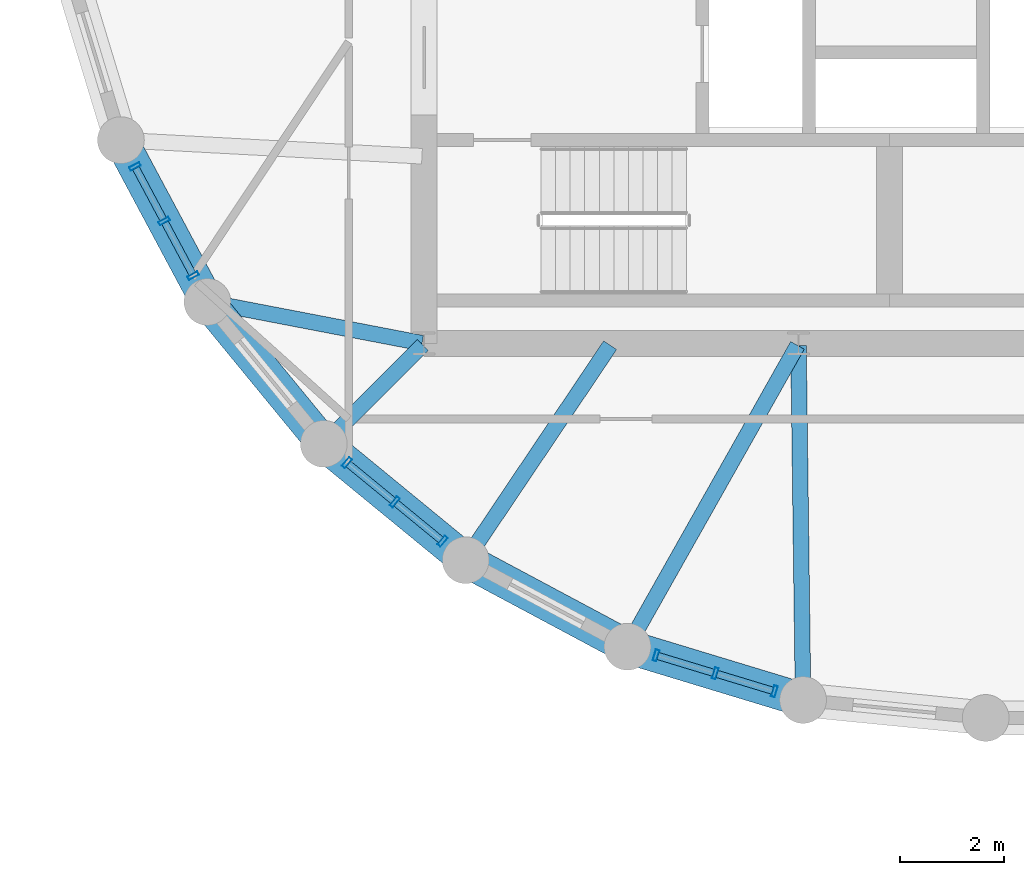
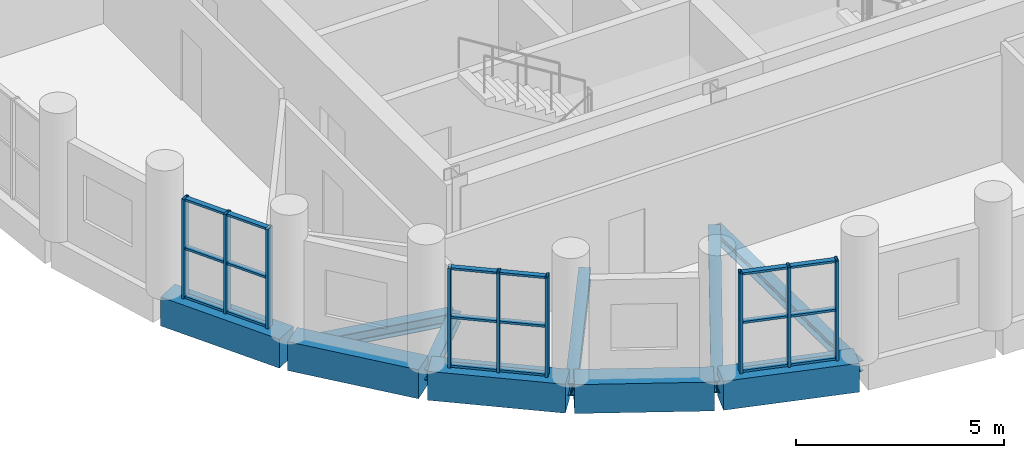
# One storey, part 2 of 11: 27 members, 10 beams, 3 elements without a shape of their own.
"""IFC4 building model written with IfcOpenShell, lengths in metres."""

from ifc_helpers import new_model, si_unit, direction, frame, origin, origin_2d, place, context, subcontext, project, spatial, rectangle, hollow_rectangle, i_section, extrude, material, layer, layer_set, material_profile, profile_set, type_object, element, aggregate, save


model = new_model("IFC4")

# Units and contexts
model_context = context("Model", 3, precision=1e-05, world=origin(), true_north=direction((0.0, 1.0)))
body_context = subcontext(model_context, "Body", "Model", "MODEL_VIEW")
ifc_project = project(units=[si_unit("LENGTHUNIT", "METRE"), si_unit("AREAUNIT", "SQUARE_METRE"), si_unit("VOLUMEUNIT", "CUBIC_METRE"), si_unit("PLANEANGLEUNIT", "RADIAN"), si_unit("MASSUNIT", "GRAM", prefix="KILO")], contexts=[model_context])

# Site, building, storey
site_placement = place(None, origin())
site = spatial("IfcSite", under=ifc_project, at=site_placement, CompositionType="ELEMENT")
building_placement = place(site_placement, origin())
building = spatial("IfcBuilding", under=site, at=building_placement, Name="Solnavia Interchange Tower", CompositionType="ELEMENT")
storey_placement = place(building_placement, frame((0.0, 0.0, 205.199951171875)))
storey = spatial("IfcBuildingStorey", under=building, at=storey_placement, Name="L51", CompositionType="ELEMENT", Elevation=205.199951171875)

# Beams
ifc_material_1 = material(Name="Steel S460", Category="steel")
ifc_material_profile_1 = material_profile(ifc_material_1, i_section(OverallWidth=0.300048828125, OverallDepth=0.360107421875, WebThickness=0.012451171875, FlangeThickness=0.0224609375, FilletRadius=0.027099609375, at=origin_2d()), Name="HEB 360")
ifc_profile_set_1 = profile_set([ifc_material_profile_1], Name="Steel S460")
beam_type_1 = type_object("IfcBeamType", Name="Beam-Girder-HEB360", PredefinedType="BEAM", material=ifc_profile_set_1)
beam_1_placement = place(storey_placement, frame((15.24462890625, 6.700439453125, -0.429931640625), z_axis=(0.557835474219, 0.829951555033, 0.0), x_axis=(-0.829951555033, 0.557835474219, 0.0)))
element("IfcBeam", 1, at=beam_1_placement, inside=storey, type_object=beam_type_1, Name="GRD-L51-DR16 Drum radial floor girder", PredefinedType="BEAM", context=body_context, shape_type="SweptSolid", body=[
    extrude(i_section(OverallWidth=0.300048828125, OverallDepth=0.360107421875, WebThickness=0.012451171875, FlangeThickness=0.0224609375, FilletRadius=0.027099609375, at=origin_2d()), origin(), (0.0, 0.0, 1.0), 4.899658203125),
])
ifc_material_2 = material(Name="Steel S355", Category="steel")
ifc_material_profile_2 = material_profile(ifc_material_2, i_section(OverallWidth=0.300048828125, OverallDepth=0.31005859375, WebThickness=0.009033203125, FlangeThickness=0.015380859375, FilletRadius=0.027099609375, at=origin_2d()), Name="HEA 320")
ifc_profile_set_2 = profile_set([ifc_material_profile_2], Name="Steel S355")
beam_type_2 = type_object("IfcBeamType", Name="Beam-Primary-HEA320", PredefinedType="BEAM", material=ifc_profile_set_2)
beam_2_placement = place(storey_placement, frame((12.528564453125, 8.9287109375, -0.405029296875), z_axis=(0.707106781187, 0.707106781187, 0.0), x_axis=(-0.707106781187, 0.707106781187, 0.0)))
element("IfcBeam", 2, at=beam_2_placement, inside=storey, type_object=beam_type_2, Name="GRD-L51-DR15 Drum radial floor girder", PredefinedType="BEAM", context=body_context, shape_type="SweptSolid", body=[
    extrude(i_section(OverallWidth=0.300048828125, OverallDepth=0.31005859375, WebThickness=0.009033203125, FlangeThickness=0.015380859375, FilletRadius=0.027099609375, at=origin_2d()), origin(), (0.0, 0.0, 1.0), 2.6064453125),
])
beam_3_placement = place(storey_placement, frame((21.68701171875, 4.02587890625, -0.405029296875), z_axis=(-0.01283293513, 0.999917654498, 0.0), x_axis=(-0.999917654498, -0.01283293513, 0.0)))
element("IfcBeam", 3, at=beam_3_placement, inside=storey, type_object=beam_type_2, Name="GRD-L51-DR18 Drum radial floor girder", PredefinedType="BEAM", context=body_context, shape_type="SweptSolid", body=[
    extrude(i_section(OverallWidth=0.300048828125, OverallDepth=0.31005859375, WebThickness=0.009033203125, FlangeThickness=0.015380859375, FilletRadius=0.027099609375, at=origin_2d()), origin(), (0.0, 0.0, 1.0), 6.734619140625),
])
ifc_material_profile_3 = material_profile(ifc_material_2, i_section(OverallWidth=0.300048828125, OverallDepth=0.35009765625, WebThickness=0.010009765625, FlangeThickness=0.017578125, FilletRadius=0.027099609375, at=origin_2d()), Name="HEA 360")
ifc_profile_set_3 = profile_set([ifc_material_profile_3], Name="Steel S355")
beam_type_3 = type_object("IfcBeamType", Name="Beam-Primary-HEA360", PredefinedType="BEAM", material=ifc_profile_set_3)
beam_4_placement = place(storey_placement, frame((10.3125, 11.5849609375, -0.425048828125), z_axis=(0.982057527796, -0.188581579428, 0.0), x_axis=(0.188581579428, 0.982057527796, 0.0)))
element("IfcBeam", 4, at=beam_4_placement, inside=storey, type_object=beam_type_3, Name="GRD-L51-DR14 Drum radial floor girder", PredefinedType="BEAM", context=body_context, shape_type="SweptSolid", body=[
    extrude(i_section(OverallWidth=0.300048828125, OverallDepth=0.35009765625, WebThickness=0.010009765625, FlangeThickness=0.017578125, FilletRadius=0.027099609375, at=origin_2d()), origin(), (0.0, 0.0, 1.0), 4.1220703125),
])
beam_5_placement = place(storey_placement, frame((18.351318359375, 5.039794921875, -0.425048828125), z_axis=(0.491243158486, 0.871022479182, 0.0), x_axis=(-0.871022479182, 0.491243158486, 0.0)))
element("IfcBeam", 5, at=beam_5_placement, inside=storey, type_object=beam_type_3, Name="GRD-L51-DR17 Drum radial floor girder", PredefinedType="BEAM", context=body_context, shape_type="SweptSolid", body=[
    extrude(i_section(OverallWidth=0.300048828125, OverallDepth=0.35009765625, WebThickness=0.010009765625, FlangeThickness=0.017578125, FilletRadius=0.027099609375, at=origin_2d()), origin(), (0.0, 0.0, 1.0), 6.5732421875),
])
ifc_material_3 = material(Name="Concrete C50/60", Category="concrete")
ifc_material_profile_4 = material_profile(ifc_material_3, rectangle(XDim=0.64990234375, YDim=0.85009765625, at=origin_2d()), Name="RC 650x850")
ifc_profile_set_4 = profile_set([ifc_material_profile_4], Name="Concrete C50/60")
beam_type_4 = type_object("IfcBeamType", Name="Beam-Spandrel-RC650x850", PredefinedType="SPANDREL", material=ifc_profile_set_4)
beam_6_placement = place(storey_placement, frame((8.607666015625, 14.6416015625, -0.425048828125), z_axis=(0.471509422952, -0.881861023102, 0.0), x_axis=(0.881861023102, 0.471509422952, 0.0)))
element("IfcBeam", 6, at=beam_6_placement, inside=storey, type_object=beam_type_4, Name="SPB-L51-03 Framed-tube perimeter spandrel beam", PredefinedType="SPANDREL", context=body_context, shape_type="SweptSolid", body=[
    extrude(rectangle(XDim=0.64990234375, YDim=0.85009765625, at=origin_2d()), origin(), (0.0, 0.0, 1.0), 3.369140625),
])
for number, where, z_axis, x_axis, name in (
    (7, (10.28466796875, 11.5380859375, -0.425048828125), (0.634298841675, -0.773087950656, 0.0), (0.773087950656, 0.634298841675, 0.0), "SPB-L51-04 Framed-tube perimeter spandrel beam"),
    (8, (12.53369140625, 8.8212890625, -0.425048828125), (0.773152644452, -0.634219984214, 0.0), (0.634219984214, 0.773152644452, 0.0), "SPB-L51-05 Framed-tube perimeter spandrel beam"),
):
    element("IfcBeam", number, at=place(storey_placement, frame(where, z_axis=z_axis, x_axis=x_axis)), inside=storey, type_object=beam_type_4, Name=name, PredefinedType="SPANDREL", context=body_context, shape_type="SweptSolid", body=[
        extrude(rectangle(XDim=0.64990234375, YDim=0.85009765625, at=origin_2d()), origin(), (0.0, 0.0, 1.0), 3.36865234375),
    ])
beam_7_placement = place(storey_placement, frame((15.2705078125, 6.59619140625, -0.425048828125), z_axis=(0.881875044348, -0.47148319817, 0.0), x_axis=(0.47148319817, 0.881875044348, 0.0)))
element("IfcBeam", 9, at=beam_7_placement, inside=storey, type_object=beam_type_4, Name="SPB-L51-06 Framed-tube perimeter spandrel beam", PredefinedType="SPANDREL", context=body_context, shape_type="SweptSolid", body=[
    extrude(rectangle(XDim=0.64990234375, YDim=0.85009765625, at=origin_2d()), origin(), (0.0, 0.0, 1.0), 3.368896484375),
])
beam_8_placement = place(storey_placement, frame((18.388671875, 4.94677734375, -0.425048828125), z_axis=(0.956943884494, -0.290272978297, 0.0), x_axis=(0.290272978297, 0.956943884494, 0.0)))
element("IfcBeam", 10, at=beam_8_placement, inside=storey, type_object=beam_type_4, Name="SPB-L51-07 Framed-tube perimeter spandrel beam", PredefinedType="SPANDREL", context=body_context, shape_type="SweptSolid", body=[
    extrude(rectangle(XDim=0.64990234375, YDim=0.85009765625, at=origin_2d()), origin(), (0.0, 0.0, 1.0), 3.36767578125),
])

# Curtain wall, members
ifc_material_4 = material(Name="Aluminium Alloy 6063-T6", Category="aluminium")
ifc_layer = layer(ifc_material_4, 0.239990234375)
ifc_layer_set = layer_set([ifc_layer], Name="Aluminium Alloy 6063-T6")
curtain_wall_type = type_object("IfcCurtainWallType", Name="CurtainWall-Drum-CTW2", PredefinedType="NOTDEFINED", material=ifc_layer_set)
curtain_wall_1_placement = place(storey_placement, origin())
curtain_wall_1 = element("IfcCurtainWall", 11, at=curtain_wall_1_placement, inside=storey, type_object=curtain_wall_type, Name="CTW-L51-D47 CTW-2 curtain wall", PredefinedType="NOTDEFINED")
ifc_material_profile_5 = material_profile(ifc_material_4, hollow_rectangle(XDim=0.074951171875, YDim=0.219970703125, WallThickness=0.0048828125, at=origin_2d()), Name="ALU 220x75x5")
ifc_profile_set_5 = profile_set([ifc_material_profile_5], Name="Aluminium Alloy 6063-T6")
member_type_1 = type_object("IfcMemberType", Name="CW-Mullion-CWM-2", PredefinedType="MULLION", material=ifc_profile_set_5)
member_1_placement = place(storey_placement, frame((8.841064453125, 14.204833984375, 0.0), z_axis=(0.0, 0.0, 1.0), x_axis=(0.471560876964, -0.881833509976, 0.0)))
member_1 = element("IfcMember", 12, at=member_1_placement, type_object=member_type_1, Name="CTW-2 mullion 1", PredefinedType="MULLION", context=body_context, shape_type="SweptSolid", body=[
    extrude(hollow_rectangle(XDim=0.074951171875, YDim=0.219970703125, WallThickness=0.0048828125, at=origin_2d()), origin(), (0.0, 0.0, 1.0), 2.929931640625),
])
member_2_placement = place(storey_placement, frame((9.402099609375, 13.156005859375, 0.0), z_axis=(0.0, 0.0, 1.0), x_axis=(0.471560876964, -0.881833509976, 0.0)))
member_2 = element("IfcMember", 13, at=member_2_placement, type_object=member_type_1, Name="CTW-2 mullion 2", PredefinedType="MULLION", context=body_context, shape_type="SweptSolid", body=[
    extrude(hollow_rectangle(XDim=0.074951171875, YDim=0.219970703125, WallThickness=0.0048828125, at=origin_2d()), origin(), (0.0, 0.0, 1.0), 2.929931640625),
])
member_3_placement = place(storey_placement, frame((9.962890625, 12.107177734375, 0.0), z_axis=(0.0, 0.0, 1.0), x_axis=(0.471560876964, -0.881833509976, 0.0)))
member_3 = element("IfcMember", 14, at=member_3_placement, type_object=member_type_1, Name="CTW-2 mullion 3", PredefinedType="MULLION", context=body_context, shape_type="SweptSolid", body=[
    extrude(hollow_rectangle(XDim=0.074951171875, YDim=0.219970703125, WallThickness=0.0048828125, at=origin_2d()), origin(), (0.0, 0.0, 1.0), 2.929931640625),
])

curtain_wall_2_placement = place(storey_placement, origin())
curtain_wall_2 = element("IfcCurtainWall", 15, at=curtain_wall_2_placement, inside=storey, type_object=curtain_wall_type, Name="CTW-L51-D49 CTW-2 curtain wall", PredefinedType="NOTDEFINED")
member_4_placement = place(storey_placement, frame((12.91650390625, 8.50732421875, 0.0), z_axis=(0.0, 0.0, 1.0), x_axis=(0.773103093557, -0.634280384951, 0.0)))
member_4 = element("IfcMember", 16, at=member_4_placement, type_object=member_type_1, Name="CTW-2 mullion 1", PredefinedType="MULLION", context=body_context, shape_type="SweptSolid", body=[
    extrude(hollow_rectangle(XDim=0.074951171875, YDim=0.219970703125, WallThickness=0.0048828125, at=origin_2d()), origin(), (0.0, 0.0, 1.0), 2.929931640625),
])
member_5_placement = place(storey_placement, frame((13.8359375, 7.7529296875, 0.0), z_axis=(0.0, 0.0, 1.0), x_axis=(0.773103093557, -0.634280384951, 0.0)))
member_5 = element("IfcMember", 17, at=member_5_placement, type_object=member_type_1, Name="CTW-2 mullion 2", PredefinedType="MULLION", context=body_context, shape_type="SweptSolid", body=[
    extrude(hollow_rectangle(XDim=0.074951171875, YDim=0.219970703125, WallThickness=0.0048828125, at=origin_2d()), origin(), (0.0, 0.0, 1.0), 2.929931640625),
])
member_6_placement = place(storey_placement, frame((14.75537109375, 6.998779296875, 0.0), z_axis=(0.0, 0.0, 1.0), x_axis=(0.773103093557, -0.634280384951, 0.0)))
member_6 = element("IfcMember", 18, at=member_6_placement, type_object=member_type_1, Name="CTW-2 mullion 3", PredefinedType="MULLION", context=body_context, shape_type="SweptSolid", body=[
    extrude(hollow_rectangle(XDim=0.074951171875, YDim=0.219970703125, WallThickness=0.0048828125, at=origin_2d()), origin(), (0.0, 0.0, 1.0), 2.929931640625),
])

curtain_wall_3_placement = place(storey_placement, origin())
curtain_wall_3 = element("IfcCurtainWall", 19, at=curtain_wall_3_placement, inside=storey, type_object=curtain_wall_type, Name="CTW-L51-D51 CTW-2 curtain wall", PredefinedType="NOTDEFINED")
member_7_placement = place(storey_placement, frame((18.8623046875, 4.80322265625, 0.0), z_axis=(0.0, 0.0, 1.0), x_axis=(0.956942072515, -0.290278951786, 0.0)))
member_7 = element("IfcMember", 20, at=member_7_placement, type_object=member_type_1, Name="CTW-2 mullion 1", PredefinedType="MULLION", context=body_context, shape_type="SweptSolid", body=[
    extrude(hollow_rectangle(XDim=0.074951171875, YDim=0.219970703125, WallThickness=0.0048828125, at=origin_2d()), origin(), (0.0, 0.0, 1.0), 2.929931640625),
])
member_8_placement = place(storey_placement, frame((20.0, 4.4580078125, 0.0), z_axis=(0.0, 0.0, 1.0), x_axis=(0.956942072515, -0.290278951786, 0.0)))
member_8 = element("IfcMember", 21, at=member_8_placement, type_object=member_type_1, Name="CTW-2 mullion 2", PredefinedType="MULLION", context=body_context, shape_type="SweptSolid", body=[
    extrude(hollow_rectangle(XDim=0.074951171875, YDim=0.219970703125, WallThickness=0.0048828125, at=origin_2d()), origin(), (0.0, 0.0, 1.0), 2.929931640625),
])
member_9_placement = place(storey_placement, frame((21.1376953125, 4.11279296875, 0.0), z_axis=(0.0, 0.0, 1.0), x_axis=(0.956942072515, -0.290278951786, 0.0)))
member_9 = element("IfcMember", 22, at=member_9_placement, type_object=member_type_1, Name="CTW-2 mullion 3", PredefinedType="MULLION", context=body_context, shape_type="SweptSolid", body=[
    extrude(hollow_rectangle(XDim=0.074951171875, YDim=0.219970703125, WallThickness=0.0048828125, at=origin_2d()), origin(), (0.0, 0.0, 1.0), 2.929931640625),
])

# Member
ifc_material_profile_6 = material_profile(ifc_material_4, hollow_rectangle(XDim=0.06494140625, YDim=0.139892578125, WallThickness=0.00390625, at=origin_2d()), Name="ALU 140x65x4")
ifc_profile_set_6 = profile_set([ifc_material_profile_6], Name="Aluminium Alloy 6063-T6")
member_type_2 = type_object("IfcMemberType", Name="CW-Transom-CWT-2", PredefinedType="USERDEFINED", material=ifc_profile_set_6)
member_10_placement = place(storey_placement, frame((8.85888671875, 14.171875, 0.032470703125), z_axis=(0.471406647105, -0.881915967122, 0.0), x_axis=(0.0, 0.0, 1.0)))
member_10 = element("IfcMember", 23, at=member_10_placement, type_object=member_type_2, Name="CTW-2 transom 1.1", ObjectType="TRANSOM", PredefinedType="USERDEFINED", context=body_context, shape_type="SweptSolid", body=[
    extrude(hollow_rectangle(XDim=0.06494140625, YDim=0.139892578125, WallThickness=0.00390625, at=origin_2d()), origin(), (0.0, 0.0, 1.0), 1.114501953125),
])

member_11_placement = place(storey_placement, frame((8.85888671875, 14.171875, 1.465087890625), z_axis=(0.471406647105, -0.881915967122, 0.0), x_axis=(0.0, 0.0, 1.0)))
member_11 = element("IfcMember", 24, at=member_11_placement, type_object=member_type_2, Name="CTW-2 transom 1.2", ObjectType="TRANSOM", PredefinedType="USERDEFINED", context=body_context, shape_type="SweptSolid", body=[
    extrude(hollow_rectangle(XDim=0.06494140625, YDim=0.139892578125, WallThickness=0.00390625, at=origin_2d()), origin(), (0.0, 0.0, 1.0), 1.114501953125),
])

member_12_placement = place(storey_placement, frame((8.85888671875, 14.171875, 2.8974609375), z_axis=(0.471406647105, -0.881915967122, 0.0), x_axis=(0.0, 0.0, 1.0)))
member_12 = element("IfcMember", 25, at=member_12_placement, type_object=member_type_2, Name="CTW-2 transom 1.3", ObjectType="TRANSOM", PredefinedType="USERDEFINED", context=body_context, shape_type="SweptSolid", body=[
    extrude(hollow_rectangle(XDim=0.06494140625, YDim=0.139892578125, WallThickness=0.00390625, at=origin_2d()), origin(), (0.0, 0.0, 1.0), 1.114501953125),
])

member_13_placement = place(storey_placement, frame((9.419677734375, 13.123046875, 0.032470703125), z_axis=(0.471576996491, -0.881824889862, 0.0), x_axis=(0.0, 0.0, 1.0)))
member_13 = element("IfcMember", 26, at=member_13_placement, type_object=member_type_2, Name="CTW-2 transom 2.1", ObjectType="TRANSOM", PredefinedType="USERDEFINED", context=body_context, shape_type="SweptSolid", body=[
    extrude(hollow_rectangle(XDim=0.06494140625, YDim=0.139892578125, WallThickness=0.00390625, at=origin_2d()), origin(), (0.0, 0.0, 1.0), 1.11474609375),
])

member_14_placement = place(storey_placement, frame((9.419677734375, 13.123046875, 1.465087890625), z_axis=(0.471576996491, -0.881824889862, 0.0), x_axis=(0.0, 0.0, 1.0)))
member_14 = element("IfcMember", 27, at=member_14_placement, type_object=member_type_2, Name="CTW-2 transom 2.2", ObjectType="TRANSOM", PredefinedType="USERDEFINED", context=body_context, shape_type="SweptSolid", body=[
    extrude(hollow_rectangle(XDim=0.06494140625, YDim=0.139892578125, WallThickness=0.00390625, at=origin_2d()), origin(), (0.0, 0.0, 1.0), 1.11474609375),
])

member_15_placement = place(storey_placement, frame((9.419677734375, 13.123046875, 2.8974609375), z_axis=(0.471576996491, -0.881824889862, 0.0), x_axis=(0.0, 0.0, 1.0)))
member_15 = element("IfcMember", 28, at=member_15_placement, type_object=member_type_2, Name="CTW-2 transom 2.3", ObjectType="TRANSOM", PredefinedType="USERDEFINED", context=body_context, shape_type="SweptSolid", body=[
    extrude(hollow_rectangle(XDim=0.06494140625, YDim=0.139892578125, WallThickness=0.00390625, at=origin_2d()), origin(), (0.0, 0.0, 1.0), 1.11474609375),
])

aggregate(curtain_wall_1, [member_1, member_2, member_3, member_10, member_11, member_12, member_13, member_14, member_15])

member_16_placement = place(storey_placement, frame((12.945556640625, 8.483642578125, 0.032470703125), z_axis=(0.773136723636, -0.634239392158, 0.0), x_axis=(0.0, 0.0, 1.0)))
member_16 = element("IfcMember", 29, at=member_16_placement, type_object=member_type_2, Name="CTW-2 transom 1.1", ObjectType="TRANSOM", PredefinedType="USERDEFINED", context=body_context, shape_type="SweptSolid", body=[
    extrude(hollow_rectangle(XDim=0.06494140625, YDim=0.139892578125, WallThickness=0.00390625, at=origin_2d()), origin(), (0.0, 0.0, 1.0), 1.114501953125),
])

member_17_placement = place(storey_placement, frame((12.945556640625, 8.483642578125, 1.465087890625), z_axis=(0.773136723636, -0.634239392158, 0.0), x_axis=(0.0, 0.0, 1.0)))
member_17 = element("IfcMember", 30, at=member_17_placement, type_object=member_type_2, Name="CTW-2 transom 1.2", ObjectType="TRANSOM", PredefinedType="USERDEFINED", context=body_context, shape_type="SweptSolid", body=[
    extrude(hollow_rectangle(XDim=0.06494140625, YDim=0.139892578125, WallThickness=0.00390625, at=origin_2d()), origin(), (0.0, 0.0, 1.0), 1.114501953125),
])

member_18_placement = place(storey_placement, frame((12.945556640625, 8.483642578125, 2.8974609375), z_axis=(0.773136723636, -0.634239392158, 0.0), x_axis=(0.0, 0.0, 1.0)))
member_18 = element("IfcMember", 31, at=member_18_placement, type_object=member_type_2, Name="CTW-2 transom 1.3", ObjectType="TRANSOM", PredefinedType="USERDEFINED", context=body_context, shape_type="SweptSolid", body=[
    extrude(hollow_rectangle(XDim=0.06494140625, YDim=0.139892578125, WallThickness=0.00390625, at=origin_2d()), origin(), (0.0, 0.0, 1.0), 1.114501953125),
])

member_19_placement = place(storey_placement, frame((13.864990234375, 7.729248046875, 0.032470703125), z_axis=(0.773048573819, -0.634346831407, 0.0), x_axis=(0.0, 0.0, 1.0)))
member_19 = element("IfcMember", 32, at=member_19_placement, type_object=member_type_2, Name="CTW-2 transom 2.1", ObjectType="TRANSOM", PredefinedType="USERDEFINED", context=body_context, shape_type="SweptSolid", body=[
    extrude(hollow_rectangle(XDim=0.06494140625, YDim=0.139892578125, WallThickness=0.00390625, at=origin_2d()), origin(), (0.0, 0.0, 1.0), 1.1142578125),
])

member_20_placement = place(storey_placement, frame((13.864990234375, 7.729248046875, 1.465087890625), z_axis=(0.773048573819, -0.634346831407, 0.0), x_axis=(0.0, 0.0, 1.0)))
member_20 = element("IfcMember", 33, at=member_20_placement, type_object=member_type_2, Name="CTW-2 transom 2.2", ObjectType="TRANSOM", PredefinedType="USERDEFINED", context=body_context, shape_type="SweptSolid", body=[
    extrude(hollow_rectangle(XDim=0.06494140625, YDim=0.139892578125, WallThickness=0.00390625, at=origin_2d()), origin(), (0.0, 0.0, 1.0), 1.1142578125),
])

member_21_placement = place(storey_placement, frame((13.864990234375, 7.729248046875, 2.8974609375), z_axis=(0.773048573819, -0.634346831407, 0.0), x_axis=(0.0, 0.0, 1.0)))
member_21 = element("IfcMember", 34, at=member_21_placement, type_object=member_type_2, Name="CTW-2 transom 2.3", ObjectType="TRANSOM", PredefinedType="USERDEFINED", context=body_context, shape_type="SweptSolid", body=[
    extrude(hollow_rectangle(XDim=0.06494140625, YDim=0.139892578125, WallThickness=0.00390625, at=origin_2d()), origin(), (0.0, 0.0, 1.0), 1.1142578125),
])

aggregate(curtain_wall_2, [member_4, member_5, member_6, member_16, member_17, member_18, member_19, member_20, member_21])

member_22_placement = place(storey_placement, frame((18.898193359375, 4.792236328125, 0.032470703125), z_axis=(0.956965394332, -0.290202057283, 0.0), x_axis=(0.0, 0.0, 1.0)))
member_22 = element("IfcMember", 35, at=member_22_placement, type_object=member_type_2, Name="CTW-2 transom 1.1", ObjectType="TRANSOM", PredefinedType="USERDEFINED", context=body_context, shape_type="SweptSolid", body=[
    extrude(hollow_rectangle(XDim=0.06494140625, YDim=0.139892578125, WallThickness=0.00390625, at=origin_2d()), origin(), (0.0, 0.0, 1.0), 1.11376953125),
])

member_23_placement = place(storey_placement, frame((18.898193359375, 4.792236328125, 1.465087890625), z_axis=(0.956965394332, -0.290202057283, 0.0), x_axis=(0.0, 0.0, 1.0)))
member_23 = element("IfcMember", 36, at=member_23_placement, type_object=member_type_2, Name="CTW-2 transom 1.2", ObjectType="TRANSOM", PredefinedType="USERDEFINED", context=body_context, shape_type="SweptSolid", body=[
    extrude(hollow_rectangle(XDim=0.06494140625, YDim=0.139892578125, WallThickness=0.00390625, at=origin_2d()), origin(), (0.0, 0.0, 1.0), 1.11376953125),
])

member_24_placement = place(storey_placement, frame((18.898193359375, 4.792236328125, 2.8974609375), z_axis=(0.956965394332, -0.290202057283, 0.0), x_axis=(0.0, 0.0, 1.0)))
member_24 = element("IfcMember", 37, at=member_24_placement, type_object=member_type_2, Name="CTW-2 transom 1.3", ObjectType="TRANSOM", PredefinedType="USERDEFINED", context=body_context, shape_type="SweptSolid", body=[
    extrude(hollow_rectangle(XDim=0.06494140625, YDim=0.139892578125, WallThickness=0.00390625, at=origin_2d()), origin(), (0.0, 0.0, 1.0), 1.11376953125),
])

member_25_placement = place(storey_placement, frame((20.035888671875, 4.447021484375, 0.032470703125), z_axis=(0.956965394332, -0.290202057283, 0.0), x_axis=(0.0, 0.0, 1.0)))
member_25 = element("IfcMember", 38, at=member_25_placement, type_object=member_type_2, Name="CTW-2 transom 2.1", ObjectType="TRANSOM", PredefinedType="USERDEFINED", context=body_context, shape_type="SweptSolid", body=[
    extrude(hollow_rectangle(XDim=0.06494140625, YDim=0.139892578125, WallThickness=0.00390625, at=origin_2d()), origin(), (0.0, 0.0, 1.0), 1.11376953125),
])

member_26_placement = place(storey_placement, frame((20.035888671875, 4.447021484375, 1.465087890625), z_axis=(0.956965394332, -0.290202057283, 0.0), x_axis=(0.0, 0.0, 1.0)))
member_26 = element("IfcMember", 39, at=member_26_placement, type_object=member_type_2, Name="CTW-2 transom 2.2", ObjectType="TRANSOM", PredefinedType="USERDEFINED", context=body_context, shape_type="SweptSolid", body=[
    extrude(hollow_rectangle(XDim=0.06494140625, YDim=0.139892578125, WallThickness=0.00390625, at=origin_2d()), origin(), (0.0, 0.0, 1.0), 1.11376953125),
])

member_27_placement = place(storey_placement, frame((20.035888671875, 4.447021484375, 2.8974609375), z_axis=(0.956965394332, -0.290202057283, 0.0), x_axis=(0.0, 0.0, 1.0)))
member_27 = element("IfcMember", 40, at=member_27_placement, type_object=member_type_2, Name="CTW-2 transom 2.3", ObjectType="TRANSOM", PredefinedType="USERDEFINED", context=body_context, shape_type="SweptSolid", body=[
    extrude(hollow_rectangle(XDim=0.06494140625, YDim=0.139892578125, WallThickness=0.00390625, at=origin_2d()), origin(), (0.0, 0.0, 1.0), 1.11376953125),
])

aggregate(curtain_wall_3, [member_7, member_8, member_9, member_22, member_23, member_24, member_25, member_26, member_27])

save(model, "model.ifc")
